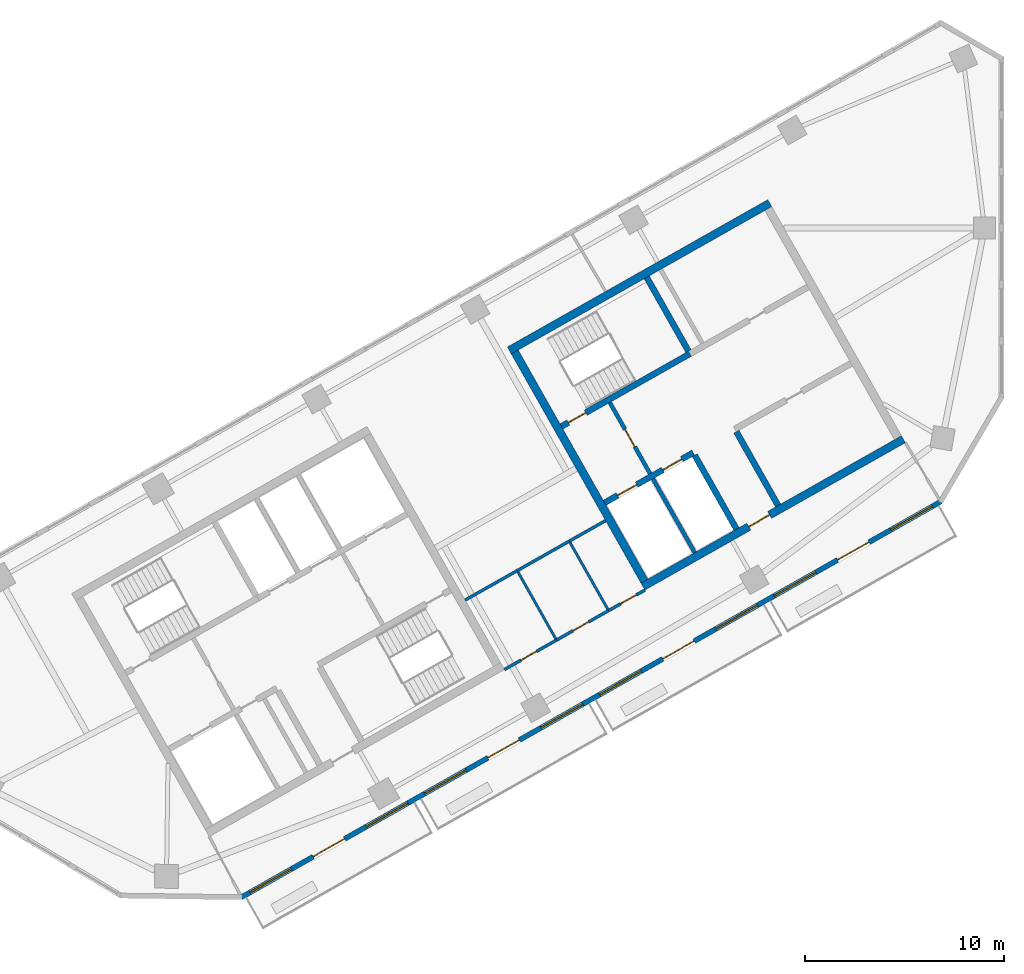
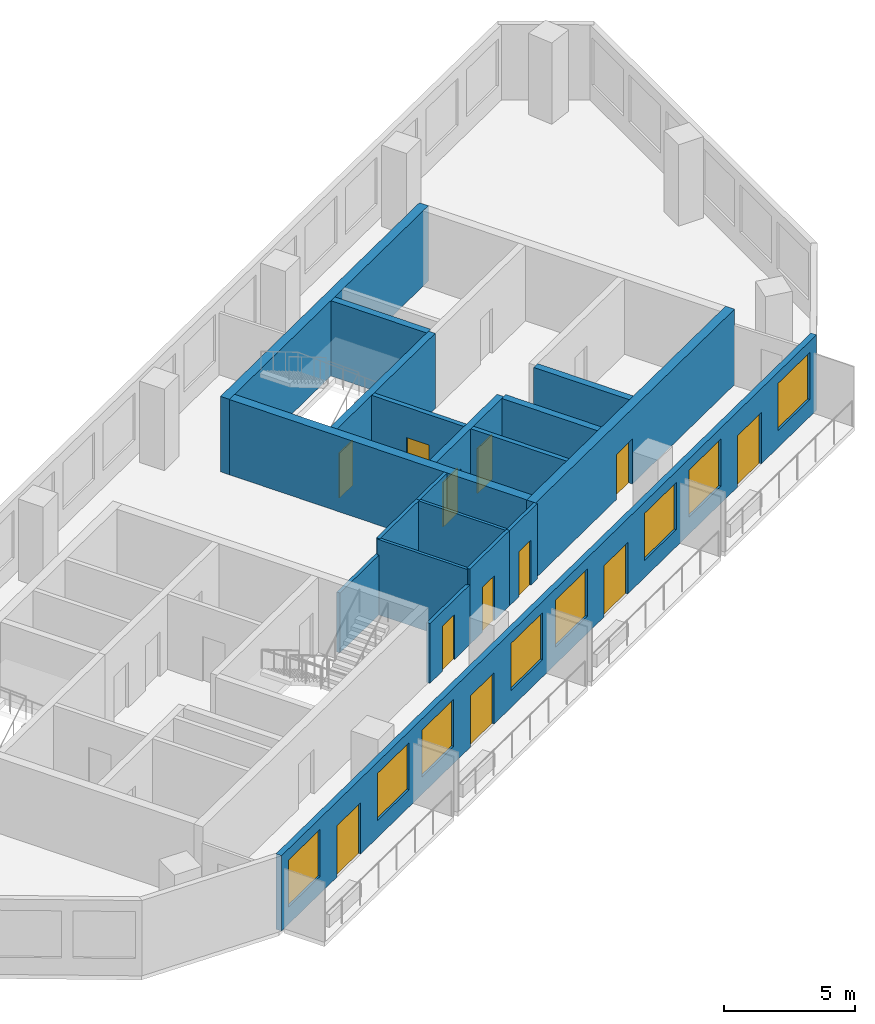
# One storey, part 4 of 7: 19 walls, 12 doors, 8 windows, 20 openings.
"""IFC4 building model written with IfcOpenShell, lengths in metres."""

from ifc_helpers import new_model, si_unit, direction, frame, frame_2d, origin, place, context, subcontext, project, spatial, rectangle, extrude, material, layer, layer_set, type_object, element, fill, save


model = new_model("IFC4")

# Units and contexts
model_context = context("Model", 3, precision=1e-05, world=origin(), true_north=direction((0.0, 1.0)))
body_context = subcontext(model_context, "Body", "Model", "MODEL_VIEW")
ifc_project = project(units=[si_unit("LENGTHUNIT", "METRE"), si_unit("AREAUNIT", "SQUARE_METRE"), si_unit("VOLUMEUNIT", "CUBIC_METRE"), si_unit("PLANEANGLEUNIT", "RADIAN"), si_unit("MASSUNIT", "GRAM", prefix="KILO")], contexts=[model_context])

# Site, building, storey
site_placement = place(None, origin())
site = spatial("IfcSite", under=ifc_project, at=site_placement, CompositionType="ELEMENT")
building_placement = place(site_placement, origin())
building = spatial("IfcBuilding", under=site, at=building_placement, Name="Binnacle Exchange Tower", CompositionType="ELEMENT")
storey_placement = place(building_placement, frame((0.0, 0.0, 304.5)))
storey = spatial("IfcBuildingStorey", under=building, at=storey_placement, Name="L68", CompositionType="ELEMENT", Elevation=304.5)

# Wall, openings, doors
ifc_material_1 = material(Name="Concrete C70/85", Category="concrete")
ifc_layer_1 = layer(ifc_material_1, 0.300048828125)
ifc_layer_set_1 = layer_set([ifc_layer_1], Name="Core wall - front 300")
wall_type_1 = type_object("IfcWallType", Name="Core wall - front 300", PredefinedType="SOLIDWALL", material=ifc_layer_set_1)
wall_1_placement = place(storey_placement, frame((-19.89208984375, 46.2177734375, 0.0), z_axis=(0.0, 0.0, 1.0), x_axis=(0.870341639186, 0.492448404505, 0.0)))
wall_1 = element("IfcWall", 1, at=wall_1_placement, inside=storey, type_object=wall_type_1, Name="Core wall CRWC2", PredefinedType="SOLIDWALL", context=body_context, shape_type="SweptSolid", body=[
    extrude(rectangle(XDim=5.099853515625, YDim=0.300048828125, at=frame_2d((2.5498046875, 0.0))), origin(), (0.0, 0.0, 1.0), 3.52001953125),
])
opening_1_placement = place(wall_1_placement, frame((0.75, 0.0, 0.0)))
opening_1 = element("IfcOpeningElement", 2, at=opening_1_placement, cuts=wall_1, Name="Opening LD14", PredefinedType="OPENING", context=body_context, shape_type="SweptSolid", body=[
    extrude(rectangle(XDim=1.10009765625, YDim=2.10009765625, at=frame_2d((0.550048828125, 1.050048828125))), frame((0.0, 0.159912109375, 0.0), z_axis=(0.0, -1.0, 0.0), x_axis=(1.0, 0.0, 0.0)), (0.0, 0.0, 1.0), 0.320068359375),
])
opening_2_placement = place(wall_1_placement, frame((3.35009765625, 0.0, 0.0)))
opening_2 = element("IfcOpeningElement", 3, at=opening_2_placement, cuts=wall_1, Name="Opening LD11", PredefinedType="OPENING", context=body_context, shape_type="SweptSolid", body=[
    extrude(rectangle(XDim=1.10009765625, YDim=2.10009765625, at=frame_2d((0.550048828125, 1.050048828125))), frame((0.0, 0.159912109375, 0.0), z_axis=(0.0, -1.0, 0.0), x_axis=(1.0, 0.0, 0.0)), (0.0, 0.0, 1.0), 0.320068359375),
])
ifc_material_2 = material(Name="Steel door leaf", Category="steel")
door_type_1 = type_object("IfcDoorType", Name="Fire door - lift landing 1100", OperationType="NOTDEFINED", PredefinedType="DOOR", material=ifc_material_2)
door_1_placement = place(opening_1_placement, origin())
door_1 = element("IfcDoor", 4, at=door_1_placement, inside=storey, type_object=door_type_1, Name="Landing door LD14 L68", OperationType="DOUBLE_DOOR_SLIDING", OverallHeight=2.10009765625, OverallWidth=1.10009765625, PredefinedType="DOOR", context=body_context, shape_type="SweptSolid", body=[
    extrude(rectangle(XDim=1.10009765625, YDim=2.10009765625, at=frame_2d((0.550048828125, 1.050048828125))), frame((0.0, 0.02490234375, 0.0), z_axis=(0.0, -1.0, 0.0), x_axis=(1.0, 0.0, 0.0)), (0.0, 0.0, 1.0), 0.050048828125),
])
fill(opening_1, door_1)
door_2_placement = place(opening_2_placement, origin())
door_2 = element("IfcDoor", 5, at=door_2_placement, inside=storey, type_object=door_type_1, Name="Landing door LD11 L68", OperationType="DOUBLE_DOOR_SLIDING", OverallHeight=2.10009765625, OverallWidth=1.10009765625, PredefinedType="DOOR", context=body_context, shape_type="SweptSolid", body=[
    extrude(rectangle(XDim=1.10009765625, YDim=2.10009765625, at=frame_2d((0.550048828125, 1.050048828125))), frame((0.0, 0.02490234375, 0.0), z_axis=(0.0, -1.0, 0.0), x_axis=(1.0, 0.0, 0.0)), (0.0, 0.0, 1.0), 0.050048828125),
])
fill(opening_2, door_2)

# Walls
wall_2_placement = place(storey_placement, frame((-15.37939453125, 48.5986328125, 0.0), z_axis=(0.0, 0.0, 1.0), x_axis=(0.492422543467, -0.870356271124, 0.0)))
element("IfcWall", 6, at=wall_2_placement, inside=storey, type_object=wall_type_1, Name="Core wall CRWC13", PredefinedType="SOLIDWALL", context=body_context, shape_type="SweptSolid", body=[
    extrude(rectangle(XDim=4.25, YDim=0.300048828125, at=frame_2d((2.125, 0.0))), origin(), (0.0, 0.0, 1.0), 3.52001953125),
])
wall_3_placement = place(storey_placement, frame((-13.29052734375, 49.780517578125, 0.0), z_axis=(0.0, 0.0, 1.0), x_axis=(0.492397924348, -0.870370199454, 0.0)))
element("IfcWall", 7, at=wall_3_placement, inside=storey, type_object=wall_type_1, Name="Core wall CRWC15", PredefinedType="SOLIDWALL", context=body_context, shape_type="SweptSolid", body=[
    extrude(rectangle(XDim=4.250244140625, YDim=0.300048828125, at=frame_2d((2.125, 0.0))), origin(), (0.0, 0.0, 1.0), 3.52001953125),
])

# Wall, opening, door
ifc_layer_2 = layer(ifc_material_1, 0.39990234375)
ifc_layer_set_2 = layer_set([ifc_layer_2], Name="Core wall - outer 400")
wall_type_2 = type_object("IfcWallType", Name="Core wall - outer 400", PredefinedType="SOLIDWALL", material=ifc_layer_set_2)
wall_4_placement = place(storey_placement, frame((-17.97509765625, 42.01708984375, 0.0), z_axis=(0.0, 0.0, 1.0), x_axis=(0.87034965173, 0.492434243055, 0.0)))
wall_4 = element("IfcWall", 8, at=wall_4_placement, inside=storey, type_object=wall_type_2, Name="Core wall CRWC1", PredefinedType="SOLIDWALL", context=body_context, shape_type="SweptSolid", body=[
    extrude(rectangle(XDim=15.0, YDim=0.39990234375, at=frame_2d((7.5, 0.0))), origin(), (0.0, 0.0, 1.0), 3.52001953125),
])
opening_3_placement = place(wall_4_placement, frame((6.10009765625, 0.0, 0.0)))
opening_3 = element("IfcOpeningElement", 9, at=opening_3_placement, cuts=wall_4, Name="Opening DC7", PredefinedType="OPENING", context=body_context, shape_type="SweptSolid", body=[
    extrude(rectangle(XDim=1.199951171875, YDim=2.10009765625, at=frame_2d((0.60009765625, 1.050048828125))), frame((0.0, 0.2099609375, 0.0), z_axis=(0.0, -1.0, 0.0), x_axis=(1.0, 0.0, 0.0)), (0.0, 0.0, 1.0), 0.419921875),
])
door_type_2 = type_object("IfcDoorType", Name="Fire door 1200", OperationType="NOTDEFINED", PredefinedType="DOOR", material=ifc_material_2)
door_3_placement = place(opening_3_placement, frame((1.199951171875, 0.0, 0.0), z_axis=(0.0, 0.0, 1.0), x_axis=(-1.0, 0.0, 0.0)))
door_3 = element("IfcDoor", 10, at=door_3_placement, inside=storey, type_object=door_type_2, Name="Lift lobby entrance door core C", OperationType="SINGLE_SWING_RIGHT", OverallHeight=2.10009765625, OverallWidth=1.199951171875, PredefinedType="DOOR", context=body_context, shape_type="SweptSolid", body=[
    extrude(rectangle(XDim=1.199951171875, YDim=2.10009765625, at=frame_2d((0.60009765625, 1.050048828125))), frame((0.0, 0.02490234375, 0.0), z_axis=(0.0, -1.0, 0.0), x_axis=(1.0, 0.0, 0.0)), (0.0, 0.0, 1.0), 0.050048828125),
])
fill(opening_3, door_3)

# Walls
wall_5_placement = place(storey_placement, frame((-24.672119140625, 53.85400390625, 0.0), z_axis=(0.0, 0.0, 1.0), x_axis=(0.870353598469, 0.492427267353, 0.0)))
element("IfcWall", 11, at=wall_5_placement, inside=storey, type_object=wall_type_2, Name="Core wall CRWC6", PredefinedType="SOLIDWALL", context=body_context, shape_type="SweptSolid", body=[
    extrude(rectangle(XDim=15.000244140625, YDim=0.39990234375, at=frame_2d((7.5, 0.0))), origin(), (0.0, 0.0, 1.0), 3.52001953125),
])
wall_6_placement = place(storey_placement, frame((-24.399658203125, 53.778564453125, 0.0), z_axis=(0.0, 0.0, 1.0), x_axis=(0.492421663121, -0.870356769198, 0.0)))
element("IfcWall", 12, at=wall_6_placement, inside=storey, type_object=wall_type_2, Name="Core wall CRWC7", PredefinedType="SOLIDWALL", context=body_context, shape_type="SweptSolid", body=[
    extrude(rectangle(XDim=13.199951171875, YDim=0.39990234375, at=frame_2d((6.60009765625, 0.0))), origin(), (0.0, 0.0, 1.0), 3.52001953125),
])

# Wall, opening, door
ifc_layer_3 = layer(ifc_material_1, 0.300048828125)
ifc_layer_set_3 = layer_set([ifc_layer_3], Name="Core wall - stair 300")
wall_type_3 = type_object("IfcWallType", Name="Core wall - stair 300", PredefinedType="SOLIDWALL", material=ifc_layer_set_3)
wall_7_placement = place(storey_placement, frame((-22.058837890625, 50.04736328125, 0.0), z_axis=(0.0, 0.0, 1.0), x_axis=(0.87035077051, 0.49243226567, 0.0)))
wall_7 = element("IfcWall", 13, at=wall_7_placement, inside=storey, type_object=wall_type_3, Name="Core wall CRWC4", PredefinedType="SOLIDWALL", context=body_context, shape_type="SweptSolid", body=[
    extrude(rectangle(XDim=7.400146484375, YDim=0.300048828125, at=frame_2d((3.7001953125, 0.0))), origin(), (0.0, 0.0, 1.0), 3.52001953125),
])
opening_4_placement = place(wall_7_placement, frame((0.39990234375, 0.0, 0.0)))
opening_4 = element("IfcOpeningElement", 14, at=opening_4_placement, cuts=wall_7, Name="Opening DC1", PredefinedType="OPENING", context=body_context, shape_type="SweptSolid", body=[
    extrude(rectangle(XDim=1.0, YDim=2.10009765625, at=frame_2d((0.5, 1.050048828125))), frame((0.0, 0.159912109375, 0.0), z_axis=(0.0, -1.0, 0.0), x_axis=(1.0, 0.0, 0.0)), (0.0, 0.0, 1.0), 0.320068359375),
])
door_type_3 = type_object("IfcDoorType", Name="Fire door 1000", OperationType="NOTDEFINED", PredefinedType="DOOR", material=ifc_material_2)
door_4_placement = place(opening_4_placement, origin())
door_4 = element("IfcDoor", 15, at=door_4_placement, inside=storey, type_object=door_type_3, Name="Stair door ST-C1", OperationType="SINGLE_SWING_LEFT", OverallHeight=2.10009765625, OverallWidth=1.0, PredefinedType="DOOR", context=body_context, shape_type="SweptSolid", body=[
    extrude(rectangle(XDim=1.0, YDim=2.10009765625, at=frame_2d((0.5, 1.050048828125))), frame((0.0, 0.02490234375, 0.0), z_axis=(0.0, -1.0, 0.0), x_axis=(1.0, 0.0, 0.0)), (0.0, 0.0, 1.0), 0.050048828125),
])
fill(opening_4, door_4)

# Wall
wall_8_placement = place(storey_placement, frame((-17.784912109375, 57.52099609375, 0.0), z_axis=(0.0, 0.0, 1.0), x_axis=(0.492422543467, -0.870356271124, 0.0)))
element("IfcWall", 16, at=wall_8_placement, inside=storey, type_object=wall_type_3, Name="Core wall CRWC14", PredefinedType="SOLIDWALL", context=body_context, shape_type="SweptSolid", body=[
    extrude(rectangle(XDim=4.25, YDim=0.300048828125, at=frame_2d((2.125, 0.0))), origin(), (0.0, 0.0, 1.0), 3.52001953125),
])

# Wall, openings, doors, windows
ifc_material_3 = material(Name="Bronze aluminium cladding", Category="aluminium")
ifc_layer_4 = layer(ifc_material_3, 0.25)
ifc_layer_set_4 = layer_set([ifc_layer_4], Name="External wall - window wall 250")
wall_type_4 = type_object("IfcWallType", Name="External wall - window wall 250", PredefinedType="STANDARD", material=ifc_layer_set_4)
wall_9_placement = place(storey_placement, frame((-3.016845703125, 46.293212890625, 0.0), z_axis=(0.0, 0.0, 1.0), x_axis=(-0.870355474887, -0.492423950812, 0.0)))
wall_9 = element("IfcWall", 17, at=wall_9_placement, inside=storey, type_object=wall_type_4, Name="External wall EW-H07 L68", PredefinedType="STANDARD", context=body_context, shape_type="SweptSolid", body=[
    extrude(rectangle(XDim=40.34033203125, YDim=0.25, at=frame_2d((20.170166015625, 0.0))), origin(), (0.0, 0.0, 1.0), 3.52001953125),
])
opening_5_placement = place(wall_9_placement, frame((37.428466796875, 0.0, 0.800048828125)))
opening_5 = element("IfcOpeningElement", 18, at=opening_5_placement, cuts=wall_9, Name="Opening WR2", PredefinedType="OPENING", context=body_context, shape_type="SweptSolid", body=[
    extrude(rectangle(XDim=2.39990234375, YDim=2.199951171875, at=frame_2d((1.199951171875, 1.10009765625))), frame((0.0, 0.135009765625, 0.0), z_axis=(0.0, -1.0, 0.0), x_axis=(1.0, 0.0, 0.0)), (0.0, 0.0, 1.0), 0.27001953125),
])
opening_6_placement = place(wall_9_placement, frame((34.372314453125, 0.0, 0.0)))
opening_6 = element("IfcOpeningElement", 19, at=opening_6_placement, cuts=wall_9, Name="Opening D-FS20-01", PredefinedType="OPENING", context=body_context, shape_type="SweptSolid", body=[
    extrude(rectangle(XDim=1.800048828125, YDim=2.39990234375, at=frame_2d((0.89990234375, 1.199951171875))), frame((0.0, 0.135009765625, 0.0), z_axis=(0.0, -1.0, 0.0), x_axis=(1.0, 0.0, 0.0)), (0.0, 0.0, 1.0), 0.27001953125),
])
opening_7_placement = place(wall_9_placement, frame((30.71630859375, 0.0, 0.800048828125)))
opening_7 = element("IfcOpeningElement", 20, at=opening_7_placement, cuts=wall_9, Name="Opening WR2", PredefinedType="OPENING", context=body_context, shape_type="SweptSolid", body=[
    extrude(rectangle(XDim=2.39990234375, YDim=2.199951171875, at=frame_2d((1.199951171875, 1.10009765625))), frame((0.0, 0.135009765625, 0.0), z_axis=(0.0, -1.0, 0.0), x_axis=(1.0, 0.0, 0.0)), (0.0, 0.0, 1.0), 0.27001953125),
])
opening_8_placement = place(wall_9_placement, frame((27.3603515625, 0.0, 0.800048828125)))
opening_8 = element("IfcOpeningElement", 21, at=opening_8_placement, cuts=wall_9, Name="Opening WR2", PredefinedType="OPENING", context=body_context, shape_type="SweptSolid", body=[
    extrude(rectangle(XDim=2.39990234375, YDim=2.199951171875, at=frame_2d((1.199951171875, 1.10009765625))), frame((0.0, 0.135009765625, 0.0), z_axis=(0.0, -1.0, 0.0), x_axis=(1.0, 0.0, 0.0)), (0.0, 0.0, 1.0), 0.27001953125),
])
opening_9_placement = place(wall_9_placement, frame((24.30419921875, 0.0, 0.0)))
opening_9 = element("IfcOpeningElement", 22, at=opening_9_placement, cuts=wall_9, Name="Opening D-FS20-02", PredefinedType="OPENING", context=body_context, shape_type="SweptSolid", body=[
    extrude(rectangle(XDim=1.800048828125, YDim=2.39990234375, at=frame_2d((0.89990234375, 1.199951171875))), frame((0.0, 0.135009765625, 0.0), z_axis=(0.0, -1.0, 0.0), x_axis=(1.0, 0.0, 0.0)), (0.0, 0.0, 1.0), 0.27001953125),
])
opening_10_placement = place(wall_9_placement, frame((20.648193359375, 0.0, 0.800048828125)))
opening_10 = element("IfcOpeningElement", 23, at=opening_10_placement, cuts=wall_9, Name="Opening WR2", PredefinedType="OPENING", context=body_context, shape_type="SweptSolid", body=[
    extrude(rectangle(XDim=2.39990234375, YDim=2.199951171875, at=frame_2d((1.199951171875, 1.10009765625))), frame((0.0, 0.135009765625, 0.0), z_axis=(0.0, -1.0, 0.0), x_axis=(1.0, 0.0, 0.0)), (0.0, 0.0, 1.0), 0.27001953125),
])
opening_11_placement = place(wall_9_placement, frame((17.2919921875, 0.0, 0.800048828125)))
opening_11 = element("IfcOpeningElement", 24, at=opening_11_placement, cuts=wall_9, Name="Opening WR2", PredefinedType="OPENING", context=body_context, shape_type="SweptSolid", body=[
    extrude(rectangle(XDim=2.39990234375, YDim=2.199951171875, at=frame_2d((1.199951171875, 1.10009765625))), frame((0.0, 0.135009765625, 0.0), z_axis=(0.0, -1.0, 0.0), x_axis=(1.0, 0.0, 0.0)), (0.0, 0.0, 1.0), 0.27001953125),
])
opening_12_placement = place(wall_9_placement, frame((14.236083984375, 0.0, 0.0)))
opening_12 = element("IfcOpeningElement", 25, at=opening_12_placement, cuts=wall_9, Name="Opening D-FS20-03", PredefinedType="OPENING", context=body_context, shape_type="SweptSolid", body=[
    extrude(rectangle(XDim=1.800048828125, YDim=2.39990234375, at=frame_2d((0.89990234375, 1.199951171875))), frame((0.0, 0.135009765625, 0.0), z_axis=(0.0, -1.0, 0.0), x_axis=(1.0, 0.0, 0.0)), (0.0, 0.0, 1.0), 0.27001953125),
])
opening_13_placement = place(wall_9_placement, frame((10.580078125, 0.0, 0.800048828125)))
opening_13 = element("IfcOpeningElement", 26, at=opening_13_placement, cuts=wall_9, Name="Opening WR2", PredefinedType="OPENING", context=body_context, shape_type="SweptSolid", body=[
    extrude(rectangle(XDim=2.39990234375, YDim=2.199951171875, at=frame_2d((1.199951171875, 1.10009765625))), frame((0.0, 0.135009765625, 0.0), z_axis=(0.0, -1.0, 0.0), x_axis=(1.0, 0.0, 0.0)), (0.0, 0.0, 1.0), 0.27001953125),
])
opening_14_placement = place(wall_9_placement, frame((7.223876953125, 0.0, 0.800048828125)))
opening_14 = element("IfcOpeningElement", 27, at=opening_14_placement, cuts=wall_9, Name="Opening WR2", PredefinedType="OPENING", context=body_context, shape_type="SweptSolid", body=[
    extrude(rectangle(XDim=2.39990234375, YDim=2.199951171875, at=frame_2d((1.199951171875, 1.10009765625))), frame((0.0, 0.135009765625, 0.0), z_axis=(0.0, -1.0, 0.0), x_axis=(1.0, 0.0, 0.0)), (0.0, 0.0, 1.0), 0.27001953125),
])
opening_15_placement = place(wall_9_placement, frame((4.16796875, 0.0, 0.0)))
opening_15 = element("IfcOpeningElement", 28, at=opening_15_placement, cuts=wall_9, Name="Opening D-FS20-04", PredefinedType="OPENING", context=body_context, shape_type="SweptSolid", body=[
    extrude(rectangle(XDim=1.800048828125, YDim=2.39990234375, at=frame_2d((0.89990234375, 1.199951171875))), frame((0.0, 0.135009765625, 0.0), z_axis=(0.0, -1.0, 0.0), x_axis=(1.0, 0.0, 0.0)), (0.0, 0.0, 1.0), 0.27001953125),
])
opening_16_placement = place(wall_9_placement, frame((0.51171875, 0.0, 0.800048828125)))
opening_16 = element("IfcOpeningElement", 29, at=opening_16_placement, cuts=wall_9, Name="Opening WR2", PredefinedType="OPENING", context=body_context, shape_type="SweptSolid", body=[
    extrude(rectangle(XDim=2.39990234375, YDim=2.199951171875, at=frame_2d((1.199951171875, 1.10009765625))), frame((0.0, 0.135009765625, 0.0), z_axis=(0.0, -1.0, 0.0), x_axis=(1.0, 0.0, 0.0)), (0.0, 0.0, 1.0), 0.27001953125),
])
ifc_material_4 = material(Name="Bronze anodised aluminium frame", Category="aluminium")
door_type_4 = type_object("IfcDoorType", Name="DB DOOR 1800x2400", OperationType="DOUBLE_DOOR_SINGLE_SWING", PredefinedType="DOOR", material=ifc_material_4)
door_5_placement = place(opening_6_placement, origin())
door_5 = element("IfcDoor", 30, at=door_5_placement, inside=storey, type_object=door_type_4, Name="Door D-FS20-01 L68", OperationType="DOUBLE_DOOR_SINGLE_SWING", OverallHeight=2.39990234375, OverallWidth=1.800048828125, PredefinedType="DOOR", context=body_context, shape_type="SweptSolid", body=[
    extrude(rectangle(XDim=1.800048828125, YDim=2.39990234375, at=frame_2d((0.89990234375, 1.199951171875))), frame((0.0, 0.02490234375, 0.0), z_axis=(0.0, -1.0, 0.0), x_axis=(1.0, 0.0, 0.0)), (0.0, 0.0, 1.0), 0.050048828125),
])
fill(opening_6, door_5)
door_6_placement = place(opening_9_placement, origin())
door_6 = element("IfcDoor", 31, at=door_6_placement, inside=storey, type_object=door_type_4, Name="Door D-FS20-02 L68", OperationType="DOUBLE_DOOR_SINGLE_SWING", OverallHeight=2.39990234375, OverallWidth=1.800048828125, PredefinedType="DOOR", context=body_context, shape_type="SweptSolid", body=[
    extrude(rectangle(XDim=1.800048828125, YDim=2.39990234375, at=frame_2d((0.89990234375, 1.199951171875))), frame((0.0, 0.02490234375, 0.0), z_axis=(0.0, -1.0, 0.0), x_axis=(1.0, 0.0, 0.0)), (0.0, 0.0, 1.0), 0.050048828125),
])
fill(opening_9, door_6)
door_7_placement = place(opening_12_placement, origin())
door_7 = element("IfcDoor", 32, at=door_7_placement, inside=storey, type_object=door_type_4, Name="Door D-FS20-03 L68", OperationType="DOUBLE_DOOR_SINGLE_SWING", OverallHeight=2.39990234375, OverallWidth=1.800048828125, PredefinedType="DOOR", context=body_context, shape_type="SweptSolid", body=[
    extrude(rectangle(XDim=1.800048828125, YDim=2.39990234375, at=frame_2d((0.89990234375, 1.199951171875))), frame((0.0, 0.02490234375, 0.0), z_axis=(0.0, -1.0, 0.0), x_axis=(1.0, 0.0, 0.0)), (0.0, 0.0, 1.0), 0.050048828125),
])
fill(opening_12, door_7)
door_8_placement = place(opening_15_placement, origin())
door_8 = element("IfcDoor", 33, at=door_8_placement, inside=storey, type_object=door_type_4, Name="Door D-FS20-04 L68", OperationType="DOUBLE_DOOR_SINGLE_SWING", OverallHeight=2.39990234375, OverallWidth=1.800048828125, PredefinedType="DOOR", context=body_context, shape_type="SweptSolid", body=[
    extrude(rectangle(XDim=1.800048828125, YDim=2.39990234375, at=frame_2d((0.89990234375, 1.199951171875))), frame((0.0, 0.02490234375, 0.0), z_axis=(0.0, -1.0, 0.0), x_axis=(1.0, 0.0, 0.0)), (0.0, 0.0, 1.0), 0.050048828125),
])
fill(opening_15, door_8)
window_type = type_object("IfcWindowType", Name="WR2 WINDOW 2400x2200", PartitioningType="SINGLE_PANEL", PredefinedType="WINDOW", material=ifc_material_4)
window_1_placement = place(opening_5_placement, origin())
window_1 = element("IfcWindow", 34, at=window_1_placement, inside=storey, type_object=window_type, Name="Window WR2 L68", OverallHeight=2.199951171875, OverallWidth=2.39990234375, PartitioningType="SINGLE_PANEL", PredefinedType="WINDOW", context=body_context, shape_type="SweptSolid", body=[
    extrude(rectangle(XDim=2.39990234375, YDim=2.199951171875, at=frame_2d((1.199951171875, 1.10009765625))), frame((0.0, 0.030029296875, 0.0), z_axis=(0.0, -1.0, 0.0), x_axis=(1.0, 0.0, 0.0)), (0.0, 0.0, 1.0), 0.06005859375),
])
fill(opening_5, window_1)
window_2_placement = place(opening_7_placement, origin())
window_2 = element("IfcWindow", 35, at=window_2_placement, inside=storey, type_object=window_type, Name="Window WR2 L68", OverallHeight=2.199951171875, OverallWidth=2.39990234375, PartitioningType="SINGLE_PANEL", PredefinedType="WINDOW", context=body_context, shape_type="SweptSolid", body=[
    extrude(rectangle(XDim=2.39990234375, YDim=2.199951171875, at=frame_2d((1.199951171875, 1.10009765625))), frame((0.0, 0.030029296875, 0.0), z_axis=(0.0, -1.0, 0.0), x_axis=(1.0, 0.0, 0.0)), (0.0, 0.0, 1.0), 0.06005859375),
])
fill(opening_7, window_2)
window_3_placement = place(opening_8_placement, origin())
window_3 = element("IfcWindow", 36, at=window_3_placement, inside=storey, type_object=window_type, Name="Window WR2 L68", OverallHeight=2.199951171875, OverallWidth=2.39990234375, PartitioningType="SINGLE_PANEL", PredefinedType="WINDOW", context=body_context, shape_type="SweptSolid", body=[
    extrude(rectangle(XDim=2.39990234375, YDim=2.199951171875, at=frame_2d((1.199951171875, 1.10009765625))), frame((0.0, 0.030029296875, 0.0), z_axis=(0.0, -1.0, 0.0), x_axis=(1.0, 0.0, 0.0)), (0.0, 0.0, 1.0), 0.06005859375),
])
fill(opening_8, window_3)
window_4_placement = place(opening_10_placement, origin())
window_4 = element("IfcWindow", 37, at=window_4_placement, inside=storey, type_object=window_type, Name="Window WR2 L68", OverallHeight=2.199951171875, OverallWidth=2.39990234375, PartitioningType="SINGLE_PANEL", PredefinedType="WINDOW", context=body_context, shape_type="SweptSolid", body=[
    extrude(rectangle(XDim=2.39990234375, YDim=2.199951171875, at=frame_2d((1.199951171875, 1.10009765625))), frame((0.0, 0.030029296875, 0.0), z_axis=(0.0, -1.0, 0.0), x_axis=(1.0, 0.0, 0.0)), (0.0, 0.0, 1.0), 0.06005859375),
])
fill(opening_10, window_4)
window_5_placement = place(opening_11_placement, origin())
window_5 = element("IfcWindow", 38, at=window_5_placement, inside=storey, type_object=window_type, Name="Window WR2 L68", OverallHeight=2.199951171875, OverallWidth=2.39990234375, PartitioningType="SINGLE_PANEL", PredefinedType="WINDOW", context=body_context, shape_type="SweptSolid", body=[
    extrude(rectangle(XDim=2.39990234375, YDim=2.199951171875, at=frame_2d((1.199951171875, 1.10009765625))), frame((0.0, 0.030029296875, 0.0), z_axis=(0.0, -1.0, 0.0), x_axis=(1.0, 0.0, 0.0)), (0.0, 0.0, 1.0), 0.06005859375),
])
fill(opening_11, window_5)
window_6_placement = place(opening_13_placement, origin())
window_6 = element("IfcWindow", 39, at=window_6_placement, inside=storey, type_object=window_type, Name="Window WR2 L68", OverallHeight=2.199951171875, OverallWidth=2.39990234375, PartitioningType="SINGLE_PANEL", PredefinedType="WINDOW", context=body_context, shape_type="SweptSolid", body=[
    extrude(rectangle(XDim=2.39990234375, YDim=2.199951171875, at=frame_2d((1.199951171875, 1.10009765625))), frame((0.0, 0.030029296875, 0.0), z_axis=(0.0, -1.0, 0.0), x_axis=(1.0, 0.0, 0.0)), (0.0, 0.0, 1.0), 0.06005859375),
])
fill(opening_13, window_6)
window_7_placement = place(opening_14_placement, origin())
window_7 = element("IfcWindow", 40, at=window_7_placement, inside=storey, type_object=window_type, Name="Window WR2 L68", OverallHeight=2.199951171875, OverallWidth=2.39990234375, PartitioningType="SINGLE_PANEL", PredefinedType="WINDOW", context=body_context, shape_type="SweptSolid", body=[
    extrude(rectangle(XDim=2.39990234375, YDim=2.199951171875, at=frame_2d((1.199951171875, 1.10009765625))), frame((0.0, 0.030029296875, 0.0), z_axis=(0.0, -1.0, 0.0), x_axis=(1.0, 0.0, 0.0)), (0.0, 0.0, 1.0), 0.06005859375),
])
fill(opening_14, window_7)
window_8_placement = place(opening_16_placement, origin())
window_8 = element("IfcWindow", 41, at=window_8_placement, inside=storey, type_object=window_type, Name="Window WR2 L68", OverallHeight=2.199951171875, OverallWidth=2.39990234375, PartitioningType="SINGLE_PANEL", PredefinedType="WINDOW", context=body_context, shape_type="SweptSolid", body=[
    extrude(rectangle(XDim=2.39990234375, YDim=2.199951171875, at=frame_2d((1.199951171875, 1.10009765625))), frame((0.0, 0.030029296875, 0.0), z_axis=(0.0, -1.0, 0.0), x_axis=(1.0, 0.0, 0.0)), (0.0, 0.0, 1.0), 0.06005859375),
])
fill(opening_16, window_8)

# Wall, opening, door
ifc_material_5 = material(Name="Masonry block wall", Category="masonry")
ifc_layer_5 = layer(ifc_material_5, 0.199951171875)
ifc_layer_set_5 = layer_set([ifc_layer_5], Name="Fire wall - vestibule 200")
wall_type_5 = type_object("IfcWallType", Name="Fire wall - vestibule 200", PredefinedType="PARTITIONING", material=ifc_layer_set_5)
wall_10_placement = place(storey_placement, frame((-19.635009765625, 51.246337890625, 0.0), z_axis=(0.0, 0.0, 1.0), x_axis=(0.492408451753, -0.87036424366, 0.0)))
wall_10 = element("IfcWall", 42, at=wall_10_placement, inside=storey, type_object=wall_type_5, Name="Core wall CRWC10", PredefinedType="PARTITIONING", context=body_context, shape_type="SweptSolid", body=[
    extrude(rectangle(XDim=4.099853515625, YDim=0.199951171875, at=frame_2d((2.0498046875, 0.0))), origin(), (0.0, 0.0, 1.0), 3.52001953125),
])
opening_17_placement = place(wall_10_placement, frame((1.550048828125, 0.0, 0.0)))
opening_17 = element("IfcOpeningElement", 43, at=opening_17_placement, cuts=wall_10, Name="Opening DC3", PredefinedType="OPENING", context=body_context, shape_type="SweptSolid", body=[
    extrude(rectangle(XDim=1.0, YDim=2.10009765625, at=frame_2d((0.5, 1.050048828125))), frame((0.0, 0.10986328125, 0.0), z_axis=(0.0, -1.0, 0.0), x_axis=(1.0, 0.0, 0.0)), (0.0, 0.0, 1.0), 0.219970703125),
])
door_9_placement = place(opening_17_placement, frame((1.0, 0.0, 0.0), z_axis=(0.0, 0.0, 1.0), x_axis=(-1.0, 0.0, 0.0)))
door_9 = element("IfcDoor", 44, at=door_9_placement, inside=storey, type_object=door_type_3, Name="Vestibule door VEST-W", OperationType="SINGLE_SWING_RIGHT", OverallHeight=2.10009765625, OverallWidth=1.0, PredefinedType="DOOR", context=body_context, shape_type="SweptSolid", body=[
    extrude(rectangle(XDim=1.0, YDim=2.10009765625, at=frame_2d((0.5, 1.050048828125))), frame((0.0, 0.02490234375, 0.0), z_axis=(0.0, -1.0, 0.0), x_axis=(1.0, 0.0, 0.0)), (0.0, 0.0, 1.0), 0.050048828125),
])
fill(opening_17, door_9)

# Wall
ifc_material_6 = material(Name="Gypsum partition fire rated")
ifc_layer_6 = layer(ifc_material_6, 0.14990234375)
ifc_layer_set_6 = layer_set([ifc_layer_6], Name="Fire-rated partition 150")
wall_type_6 = type_object("IfcWallType", Name="Fire-rated partition 150", PredefinedType="PARTITIONING", material=ifc_layer_set_6)
wall_11_placement = place(storey_placement, frame((-26.887939453125, 41.340087890625, 0.0), z_axis=(0.0, 0.0, 1.0), x_axis=(0.8702292093, 0.492647057518, 0.0)))
element("IfcWall", 45, at=wall_11_placement, inside=storey, type_object=wall_type_6, Name="Partition W02", PredefinedType="PARTITIONING", context=body_context, shape_type="SweptSolid", body=[
    extrude(rectangle(XDim=3.000244140625, YDim=0.14990234375, at=frame_2d((1.5, 0.0))), origin(), (0.0, 0.0, 1.0), 2.7919921875),
])

# Wall, opening, door
wall_12_placement = place(storey_placement, frame((-24.9189453125, 37.85888671875, 0.0), z_axis=(0.0, 0.0, 1.0), x_axis=(0.870368744559, 0.492400496034, 0.0)))
wall_12 = element("IfcWall", 46, at=wall_12_placement, inside=storey, type_object=wall_type_6, Name="Partition W03", PredefinedType="PARTITIONING", context=body_context, shape_type="SweptSolid", body=[
    extrude(rectangle(XDim=2.999755859375, YDim=0.14990234375, at=frame_2d((1.5, 0.0))), origin(), (0.0, 0.0, 1.0), 2.7919921875),
])
opening_18_placement = place(wall_12_placement, frame((0.949951171875, 0.0, 0.0)))
opening_18 = element("IfcOpeningElement", 47, at=opening_18_placement, cuts=wall_12, Name="Opening DL68-01", PredefinedType="OPENING", context=body_context, shape_type="SweptSolid", body=[
    extrude(rectangle(XDim=0.89990234375, YDim=2.10009765625, at=frame_2d((0.449951171875, 1.050048828125))), frame((0.0, 0.0849609375, 0.0), z_axis=(0.0, -1.0, 0.0), x_axis=(1.0, 0.0, 0.0)), (0.0, 0.0, 1.0), 0.169921875),
])
door_type_5 = type_object("IfcDoorType", Name="Fire door 900", OperationType="NOTDEFINED", PredefinedType="DOOR", material=ifc_material_2)
door_10_placement = place(opening_18_placement, origin())
door_10 = element("IfcDoor", 48, at=door_10_placement, inside=storey, type_object=door_type_5, Name="Door DL68-01", OperationType="SINGLE_SWING_LEFT", OverallHeight=2.10009765625, OverallWidth=0.89990234375, PredefinedType="DOOR", context=body_context, shape_type="SweptSolid", body=[
    extrude(rectangle(XDim=0.89990234375, YDim=2.10009765625, at=frame_2d((0.449951171875, 1.050048828125))), frame((0.0, 0.02490234375, 0.0), z_axis=(0.0, -1.0, 0.0), x_axis=(1.0, 0.0, 0.0)), (0.0, 0.0, 1.0), 0.050048828125),
])
fill(opening_18, door_10)

# Wall
wall_13_placement = place(storey_placement, frame((-24.277099609375, 42.818115234375, 0.0), z_axis=(0.0, 0.0, 1.0), x_axis=(0.870423351516, 0.492303960105, 0.0)))
element("IfcWall", 49, at=wall_13_placement, inside=storey, type_object=wall_type_6, Name="Partition W05", PredefinedType="PARTITIONING", context=body_context, shape_type="SweptSolid", body=[
    extrude(rectangle(XDim=2.999755859375, YDim=0.14990234375, at=frame_2d((1.5, 0.0))), origin(), (0.0, 0.0, 1.0), 3.52001953125),
])

# Wall, opening, door
wall_14_placement = place(storey_placement, frame((-22.30810546875, 39.3359375, 0.0), z_axis=(0.0, 0.0, 1.0), x_axis=(0.870248957119, 0.492612172641, 0.0)))
wall_14 = element("IfcWall", 50, at=wall_14_placement, inside=storey, type_object=wall_type_6, Name="Partition W06", PredefinedType="PARTITIONING", context=body_context, shape_type="SweptSolid", body=[
    extrude(rectangle(XDim=3.00048828125, YDim=0.14990234375, at=frame_2d((1.500244140625, 0.0))), origin(), (0.0, 0.0, 1.0), 3.52001953125),
])
opening_19_placement = place(wall_14_placement, frame((0.949951171875, 0.0, 0.0)))
opening_19 = element("IfcOpeningElement", 51, at=opening_19_placement, cuts=wall_14, Name="Opening DL68-02", PredefinedType="OPENING", context=body_context, shape_type="SweptSolid", body=[
    extrude(rectangle(XDim=0.89990234375, YDim=2.10009765625, at=frame_2d((0.449951171875, 1.050048828125))), frame((0.0, 0.0849609375, 0.0), z_axis=(0.0, -1.0, 0.0), x_axis=(1.0, 0.0, 0.0)), (0.0, 0.0, 1.0), 0.169921875),
])
door_11_placement = place(opening_19_placement, origin())
door_11 = element("IfcDoor", 52, at=door_11_placement, inside=storey, type_object=door_type_5, Name="Door DL68-02", OperationType="SINGLE_SWING_LEFT", OverallHeight=2.10009765625, OverallWidth=0.89990234375, PredefinedType="DOOR", context=body_context, shape_type="SweptSolid", body=[
    extrude(rectangle(XDim=0.89990234375, YDim=2.10009765625, at=frame_2d((0.449951171875, 1.050048828125))), frame((0.0, 0.02490234375, 0.0), z_axis=(0.0, -1.0, 0.0), x_axis=(1.0, 0.0, 0.0)), (0.0, 0.0, 1.0), 0.050048828125),
])
fill(opening_19, door_11)

# Wall
wall_15_placement = place(storey_placement, frame((-21.666015625, 44.294921875, 0.0), z_axis=(0.0, 0.0, 1.0), x_axis=(0.870297454631, 0.492526487067, 0.0)))
element("IfcWall", 53, at=wall_15_placement, inside=storey, type_object=wall_type_6, Name="Partition W07", PredefinedType="PARTITIONING", context=body_context, shape_type="SweptSolid", body=[
    extrude(rectangle(XDim=2.09130859375, YDim=0.14990234375, at=frame_2d((1.045654296875, 0.0))), origin(), (0.0, 0.0, 1.0), 3.52001953125),
])

# Wall, opening, door
wall_16_placement = place(storey_placement, frame((-19.697021484375, 40.81396484375, 0.0), z_axis=(0.0, 0.0, 1.0), x_axis=(0.870497588791, 0.492172680986, 0.0)))
wall_16 = element("IfcWall", 54, at=wall_16_placement, inside=storey, type_object=wall_type_6, Name="Partition W10", PredefinedType="PARTITIONING", context=body_context, shape_type="SweptSolid", body=[
    extrude(rectangle(XDim=2.0908203125, YDim=0.14990234375, at=frame_2d((1.04541015625, 0.0))), origin(), (0.0, 0.0, 1.0), 3.52001953125),
])
opening_20_placement = place(wall_16_placement, frame((0.699951171875, 0.0, 0.0)))
opening_20 = element("IfcOpeningElement", 55, at=opening_20_placement, cuts=wall_16, Name="Opening DL68-03", PredefinedType="OPENING", context=body_context, shape_type="SweptSolid", body=[
    extrude(rectangle(XDim=0.89990234375, YDim=2.10009765625, at=frame_2d((0.449951171875, 1.050048828125))), frame((0.0, 0.0849609375, 0.0), z_axis=(0.0, -1.0, 0.0), x_axis=(1.0, 0.0, 0.0)), (0.0, 0.0, 1.0), 0.169921875),
])
door_12_placement = place(opening_20_placement, origin())
door_12 = element("IfcDoor", 56, at=door_12_placement, inside=storey, type_object=door_type_5, Name="Door DL68-03", OperationType="SINGLE_SWING_RIGHT", OverallHeight=2.10009765625, OverallWidth=0.89990234375, PredefinedType="DOOR", context=body_context, shape_type="SweptSolid", body=[
    extrude(rectangle(XDim=0.89990234375, YDim=2.10009765625, at=frame_2d((0.449951171875, 1.050048828125))), frame((0.0, 0.02490234375, 0.0), z_axis=(0.0, -1.0, 0.0), x_axis=(1.0, 0.0, 0.0)), (0.0, 0.0, 1.0), 0.050048828125),
])
fill(opening_20, door_12)

# Walls
ifc_material_7 = material(Name="Gypsum partition")
ifc_layer_7 = layer(ifc_material_7, 0.125)
ifc_layer_set_7 = layer_set([ifc_layer_7], Name="Partition 125")
wall_type_7 = type_object("IfcWallType", Name="Partition 125", PredefinedType="PARTITIONING", material=ifc_layer_set_7)
wall_17_placement = place(storey_placement, frame((-24.277099609375, 42.818115234375, 0.0), z_axis=(0.0, 0.0, 1.0), x_axis=(0.492210087366, -0.870476438449, 0.0)))
element("IfcWall", 57, at=wall_17_placement, inside=storey, type_object=wall_type_7, Name="Partition W04", PredefinedType="PARTITIONING", context=body_context, shape_type="SweptSolid", body=[
    extrude(rectangle(XDim=4.000244140625, YDim=0.125, at=frame_2d((2.0, 0.0))), origin(), (0.0, 0.0, 1.0), 3.52001953125),
])
wall_18_placement = place(storey_placement, frame((-21.666015625, 44.294921875, 0.0), z_axis=(0.0, 0.0, 1.0), x_axis=(0.492340861121, -0.870402479587, 0.0)))
element("IfcWall", 58, at=wall_18_placement, inside=storey, type_object=wall_type_7, Name="Partition W08", PredefinedType="PARTITIONING", context=body_context, shape_type="SweptSolid", body=[
    extrude(rectangle(XDim=3.999267578125, YDim=0.125, at=frame_2d((1.99951171875, 0.0))), origin(), (0.0, 0.0, 1.0), 3.52001953125),
])
ifc_layer_8 = layer(ifc_material_5, 0.199951171875)
ifc_layer_set_8 = layer_set([ifc_layer_8], Name="Shaft wall 200")
wall_type_8 = type_object("IfcWallType", Name="Shaft wall 200", PredefinedType="SOLIDWALL", material=ifc_layer_set_8)
wall_19_placement = place(storey_placement, frame((-17.468505859375, 47.416748046875, 0.0), z_axis=(0.0, 0.0, 1.0), x_axis=(0.492466057713, -0.870331650579, 0.0)))
element("IfcWall", 59, at=wall_19_placement, inside=storey, type_object=wall_type_8, Name="Core wall CRWC9", PredefinedType="SOLIDWALL", context=body_context, shape_type="SweptSolid", body=[
    extrude(rectangle(XDim=4.25, YDim=0.199951171875, at=frame_2d((2.125, 0.0))), origin(), (0.0, 0.0, 1.0), 3.52001953125),
])

save(model, "model.ifc")
